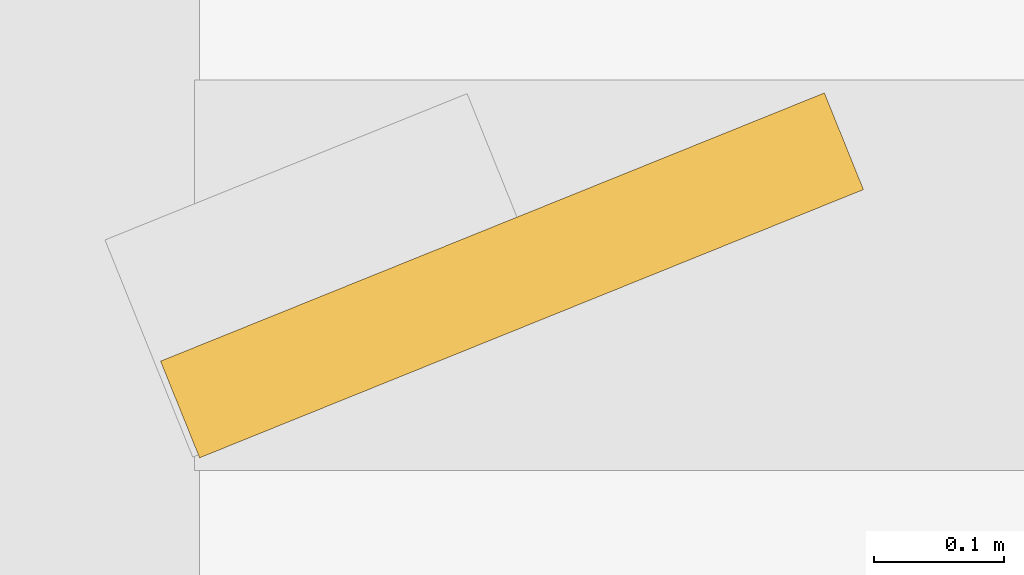
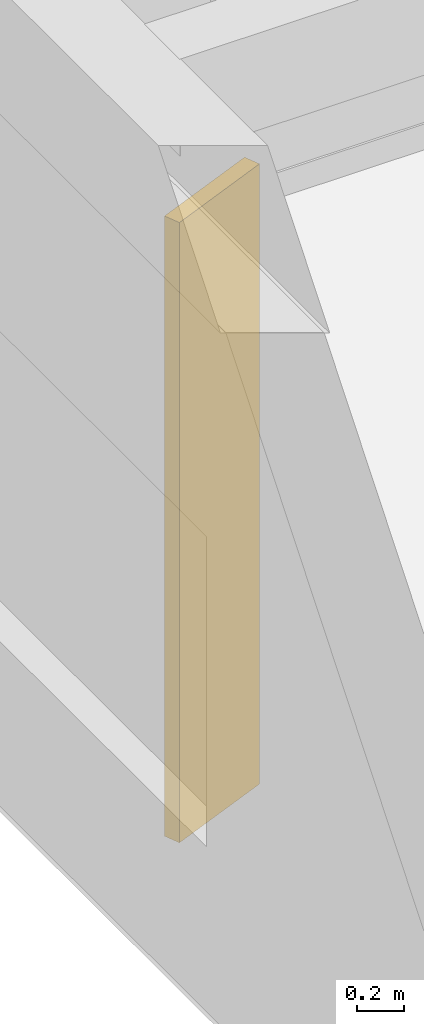
# One storey, part 92 of 93: 1 shading device.
"""IFC4 building model written with IfcOpenShell, lengths in metres."""

from ifc_helpers import new_model, si_unit, direction, frame, origin, origin_2d, place, context, subcontext, project, spatial, rectangle, extrude, material, type_object, element, save


model = new_model("IFC4")

# Units and contexts
model_context = context("Model", 3, precision=1e-05, world=origin(), true_north=direction((0.0, 1.0)))
body_context = subcontext(model_context, "Body", "Model", "MODEL_VIEW")
ifc_project = project(units=[si_unit("LENGTHUNIT", "METRE"), si_unit("AREAUNIT", "SQUARE_METRE"), si_unit("VOLUMEUNIT", "CUBIC_METRE"), si_unit("PLANEANGLEUNIT", "RADIAN"), si_unit("MASSUNIT", "GRAM", prefix="KILO")], contexts=[model_context])

# Site, building, storey
site_placement = place(None, origin())
site = spatial("IfcSite", under=ifc_project, at=site_placement, CompositionType="ELEMENT")
building_placement = place(site_placement, origin())
building = spatial("IfcBuilding", under=site, at=building_placement, Name="Vaudrelin Polytechnic", CompositionType="ELEMENT")
storey_placement = place(building_placement, frame((0.0, 0.0, 5.10009765625)))
storey = spatial("IfcBuildingStorey", under=building, at=storey_placement, Name="L01", CompositionType="ELEMENT", Elevation=5.10009765625)

# Shading device
ifc_material = material(Name="Anodised perforated aluminium AA 5005", Category="aluminium")
shading_device_type = type_object("IfcShadingDeviceType", Name="ENV-SF-FIN1", PredefinedType="USERDEFINED", material=ifc_material)
shading_device_placement = place(storey_placement, frame((0.43994140625, 117.449951171875, 0.19970703125), z_axis=(0.0, 0.0, 1.0), x_axis=(0.927183854567, 0.374606593416, 0.0)))
element("IfcShadingDevice", 1, at=shading_device_placement, inside=storey, type_object=shading_device_type, Name="Perforated solar fin SF-019", ObjectType="SOLAR FIN", PredefinedType="USERDEFINED", context=body_context, shape_type="SweptSolid", body=[
    extrude(rectangle(XDim=0.550048828125, YDim=0.080078125, at=origin_2d()), origin(), (0.0, 0.0, 1.0), 3.199951171875),
])

save(model, "model.ifc")
